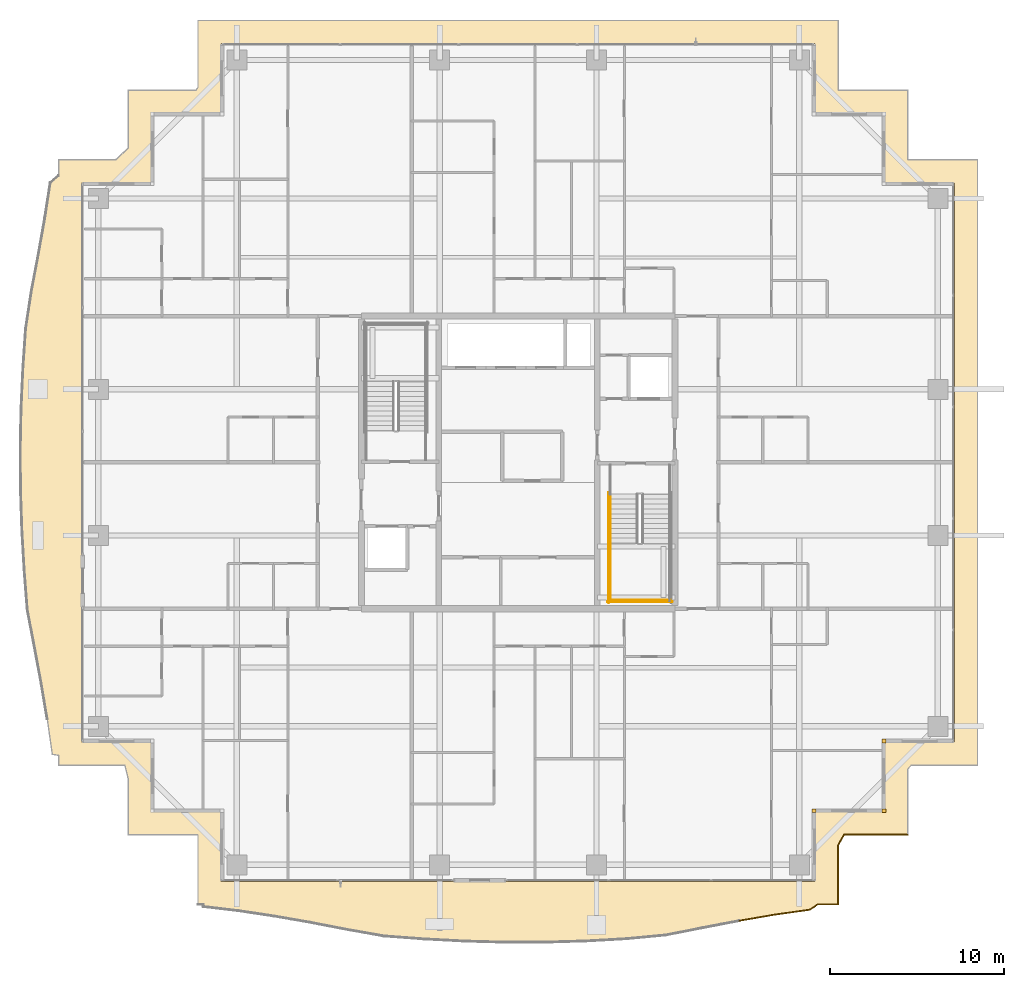
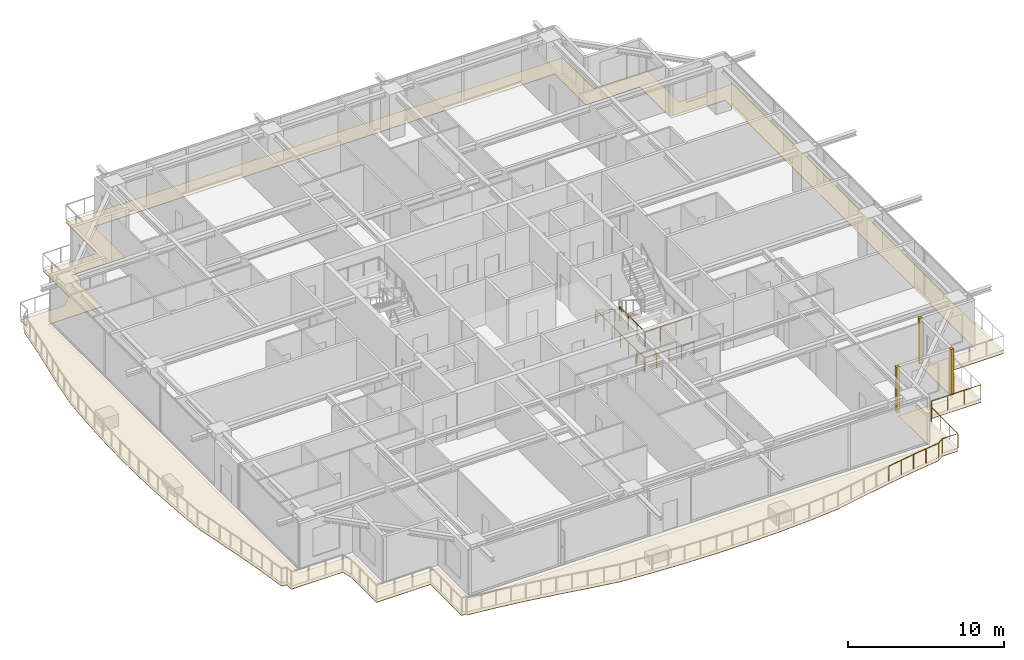
# One storey, part 35 of 38: 6 railings, 4 coverings.
"""IFC4 building model written with IfcOpenShell, lengths in metres."""

from ifc_helpers import new_model, si_unit, direction, frame, origin, origin_2d, place, context, subcontext, project, spatial, polyline, rectangle, circle, outline, extrude, source, transform, mapped, material, layer, layer_set, type_object, element, save


model = new_model("IFC4")

# Units and contexts
model_context = context("Model", 3, precision=1e-05, world=origin(), true_north=direction((0.0, 1.0)))
body_context = subcontext(model_context, "Body", "Model", "MODEL_VIEW")
ifc_project = project(units=[si_unit("LENGTHUNIT", "METRE"), si_unit("AREAUNIT", "SQUARE_METRE"), si_unit("VOLUMEUNIT", "CUBIC_METRE"), si_unit("PLANEANGLEUNIT", "RADIAN"), si_unit("MASSUNIT", "GRAM", prefix="KILO")], contexts=[model_context])

# Site, building, storey
site_placement = place(None, origin())
site = spatial("IfcSite", under=ifc_project, at=site_placement, CompositionType="ELEMENT")
building_placement = place(site_placement, origin())
building = spatial("IfcBuilding", under=site, at=building_placement, Name="Serunith Strait Residences", CompositionType="ELEMENT")
storey_placement = place(building_placement, frame((0.0, 0.0, 241.25)))
storey = spatial("IfcBuildingStorey", under=building, at=storey_placement, Name="L60", CompositionType="ELEMENT", Elevation=241.25)

# Covering
ifc_material_1 = material(Name="Golden Teak Exterior Timber Boarding", Category="wood")
ifc_layer_1 = layer(ifc_material_1, 0.034912109375, Name="Golden Teak Exterior Timber Boarding")
ifc_layer_set_1 = layer_set([ifc_layer_1], Name="Golden Teak Exterior Timber Boarding")
covering_type_1 = type_object("IfcCoveringType", Name="COV-TEAK-SOFFIT", PredefinedType="CEILING", material=ifc_layer_set_1)
covering_placement = place(storey_placement, frame((0.0, 0.0, -0.324951171875)))
element("IfcCovering", 1, at=covering_placement, inside=storey, type_object=covering_type_1, Name="L60 Golden-Teak Balcony Soffit Lining", PredefinedType="CEILING", context=body_context, shape_type="SweptSolid", body=[
    extrude(outline(polyline([(14.02001953125, -0.179931640625), (14.02001953125, 3.820068359375), (10.02001953125, 3.820068359375), (10.02001953125, 7.029052734375), (9.826904296875, 7.820068359375), (6.02001953125, 7.820068359375), (6.02001953125, 8.381591796875), (5.658935546875, 8.4423828125), (5.37109375, 10.46923828125), (5.02783203125, 12.517578125), (4.639404296875, 14.604736328125), (4.230712890625, 16.749267578125), (4.0537109375, 19.010986328125), (3.922607421875, 21.30810546875), (3.8447265625, 23.62939453125), (3.828125, 25.9619140625), (3.87451171875, 28.290283203125), (3.979736328125, 30.599853515625), (4.133544921875, 32.879150390625), (4.468017578125, 35.0693359375), (4.869384765625, 37.17578125), (5.23388671875, 39.23583984375), (5.54541015625, 41.26806640625), (6.02001953125, 41.6669921875), (6.02001953125, 42.580078125), (9.2998046875, 42.580078125), (10.02001953125, 43.24951171875), (10.02001953125, 46.580078125), (13.9189453125, 46.580078125), (14.02001953125, 46.734619140625), (14.02001953125, 50.580078125), (50.780029296875, 50.580078125), (50.780029296875, 46.580078125), (54.780029296875, 46.580078125), (54.780029296875, 42.580078125), (58.780029296875, 42.580078125), (58.780029296875, 7.820068359375), (54.97509765625, 7.820068359375), (54.780029296875, 7.597900390625), (54.780029296875, 3.820068359375), (51.11279296875, 3.820068359375), (50.780029296875, 3.215087890625), (50.780029296875, -0.179931640625), (49.601318359375, -0.179931640625), (49.16650390625, -0.484619140625), (47.144287109375, -0.771484375), (45.102294921875, -1.11865234375), (43.021728515625, -1.5166015625), (40.881103515625, -1.939208984375), (38.620849609375, -2.15283203125), (36.312255859375, -2.28125), (33.978515625, -2.35009765625), (31.634765625, -2.352294921875), (29.298095703125, -2.2880859375), (26.984130859375, -2.164794921875), (24.704345703125, -1.99462890625), (22.53125, -1.61328125), (20.43408203125, -1.20751953125), (18.38134765625, -0.847412109375), (16.35302734375, -0.54638671875), (14.333984375, -0.304931640625), (14.3349609375, -0.179931640625), (14.02001953125, -0.179931640625)]), holes=[polyline([(49.455078125, 1.14501953125), (49.455078125, 5.14501953125), (53.455078125, 5.14501953125), (53.455078125, 9.14501953125), (57.455078125, 9.14501953125), (57.455078125, 41.2548828125), (53.455078125, 41.2548828125), (53.455078125, 45.2548828125), (49.455078125, 45.2548828125), (49.455078125, 49.2548828125), (15.344970703125, 49.2548828125), (15.344970703125, 45.2548828125), (11.344970703125, 45.2548828125), (11.344970703125, 41.2548828125), (7.344970703125, 41.2548828125), (7.344970703125, 9.14501953125), (11.344970703125, 9.14501953125), (11.344970703125, 5.14501953125), (15.344970703125, 5.14501953125), (15.344970703125, 1.14501953125), (49.455078125, 1.14501953125)])]), origin(), (0.0, 0.0, 1.0), 0.034912109375),
])

# Railings
ifc_material_2 = material(Name="Stainless Steel & Laminated Glass Balustrade", Category="steel")
railing_type_1 = type_object("IfcRailingType", Name="RLG-BALC-1150", PredefinedType="BALUSTRADE", material=ifc_material_2)
railing_1_placement = place(storey_placement, frame((54.780029296875, 3.820068359375, -0.050048828125)))
element("IfcRailing", 2, at=railing_1_placement, inside=storey, type_object=railing_type_1, Name="L60 Swirling Balcony Perimeter Balustrade 6", PredefinedType="BALUSTRADE", context=body_context, shape_type="SweptSolid", body=[
    extrude(circle(Radius=0.02392578125, at=origin_2d()), frame((-0.001953125, 0.0, 1.1259765625), z_axis=(-1.0, 0.0, 0.0), x_axis=(0.0, -1.0, 0.0)), (0.0, 0.0, 1.0), 3.663330078125),
    extrude(circle(Radius=0.02392578125, at=origin_2d()), frame((-3.668212890625, -0.001708984375, 1.1259765625), z_axis=(-0.481945896719, -0.876200977308, 0.0), x_axis=(0.876200977308, -0.481945896719, 0.0)), (0.0, 0.0, 1.0), 0.6865234375),
    extrude(circle(Radius=0.02392578125, at=origin_2d()), frame((-4.0, -0.60693359375, 1.1259765625), z_axis=(0.0, -1.0, 0.0), x_axis=(1.0, 0.0, 0.0)), (0.0, 0.0, 1.0), 3.39111328125),
    extrude(circle(Radius=0.02392578125, at=origin_2d()), frame((-4.001953125, -4.0, 1.1259765625), z_axis=(-1.0, 0.0, 0.0), x_axis=(0.0, -1.0, 0.0)), (0.0, 0.0, 1.0), 1.1748046875),
    extrude(circle(Radius=0.02392578125, at=origin_2d()), frame((-5.180419921875, -4.001220703125, 1.1259765625), z_axis=(-0.818950988653, -0.573863466501, 0.0), x_axis=(0.573863466501, -0.818950988653, 0.0)), (0.0, 0.0, 1.0), 0.52685546875),
    extrude(circle(Radius=0.02392578125, at=origin_2d()), frame((-5.615478515625, -4.304931640625, 1.1259765625), z_axis=(-0.99008767554, -0.140450684385, 0.0), x_axis=(0.140450684385, -0.99008767554, 0.0)), (0.0, 0.0, 1.0), 2.03857421875),
    extrude(circle(Radius=0.02392578125, at=origin_2d()), frame((-7.6376953125, -4.591796875, 1.1259765625), z_axis=(-0.985853509592, -0.16760924087, 0.0), x_axis=(0.16760924087, -0.985853509592, 0.0)), (0.0, 0.0, 1.0), 2.0673828125),
    extrude(circle(Radius=0.02099609375, at=origin_2d()), origin(), (0.0, 0.0, 1.0), 1.099853515625),
    extrude(circle(Radius=0.02099609375, at=origin_2d()), frame((-1.222412109375, 0.0, 0.0)), (0.0, 0.0, 1.0), 1.099853515625),
    extrude(circle(Radius=0.02099609375, at=origin_2d()), frame((-2.44482421875, 0.0, 0.0)), (0.0, 0.0, 1.0), 1.099853515625),
    extrude(circle(Radius=0.02099609375, at=origin_2d()), frame((-3.667236328125, 0.0, 0.0)), (0.0, 0.0, 1.0), 1.099853515625),
    extrude(circle(Radius=0.02099609375, at=origin_2d()), frame((-4.0, -0.60498046875, 0.0)), (0.0, 0.0, 1.0), 1.099853515625),
    extrude(circle(Radius=0.02099609375, at=origin_2d()), frame((-4.0, -1.736572265625, 0.0)), (0.0, 0.0, 1.0), 1.099853515625),
    extrude(circle(Radius=0.02099609375, at=origin_2d()), frame((-4.0, -2.868408203125, 0.0)), (0.0, 0.0, 1.0), 1.099853515625),
    extrude(circle(Radius=0.02099609375, at=origin_2d()), frame((-4.0, -4.0, 0.0)), (0.0, 0.0, 1.0), 1.099853515625),
    extrude(circle(Radius=0.02099609375, at=origin_2d()), frame((-5.1787109375, -4.0, 0.0)), (0.0, 0.0, 1.0), 1.099853515625),
    extrude(circle(Radius=0.02099609375, at=origin_2d()), frame((-5.613525390625, -4.3046875, 0.0)), (0.0, 0.0, 1.0), 1.099853515625),
    extrude(circle(Radius=0.02099609375, at=origin_2d()), frame((-6.62451171875, -4.4482421875, 0.0)), (0.0, 0.0, 1.0), 1.099853515625),
    extrude(circle(Radius=0.02099609375, at=origin_2d()), frame((-7.6357421875, -4.591552734375, 0.0)), (0.0, 0.0, 1.0), 1.099853515625),
    extrude(circle(Radius=0.02099609375, at=origin_2d()), frame((-8.65673828125, -4.76513671875, 0.0)), (0.0, 0.0, 1.0), 1.099853515625),
    extrude(circle(Radius=0.02099609375, at=origin_2d()), frame((-9.677734375, -4.938720703125, 0.0)), (0.0, 0.0, 1.0), 1.099853515625),
])
ifc_material_3 = material(Name="Brushed stainless steel 316L", Category="steel")
railing_type_2 = type_object("IfcRailingType", Name="RLG-STAIR-GUARD", PredefinedType="BALUSTRADE", material=ifc_material_3)
railing_2_placement = place(storey_placement, frame((37.699951171875, 20.570068359375, 1.925048828125)))
element("IfcRailing", 3, at=railing_2_placement, inside=storey, type_object=railing_type_2, Name="L60 ST-2 stair guard 3", PredefinedType="BALUSTRADE", context=body_context, shape_type="SweptSolid", body=[
    extrude(circle(Radius=0.02392578125, at=origin_2d()), frame((0.0, -0.001953125, 1.076171875), z_axis=(0.0, -1.0, 0.0), x_axis=(1.0, 0.0, 0.0)), (0.0, 0.0, 1.0), 3.316162109375),
    extrude(circle(Radius=0.02099609375, at=origin_2d()), origin(), (0.0, 0.0, 1.0), 1.050048828125),
    extrude(circle(Radius=0.02099609375, at=origin_2d()), frame((0.0, -1.106689453125, 0.0)), (0.0, 0.0, 1.0), 1.050048828125),
    extrude(circle(Radius=0.02099609375, at=origin_2d()), frame((0.0, -2.21337890625, 0.0)), (0.0, 0.0, 1.0), 1.050048828125),
    extrude(circle(Radius=0.02099609375, at=origin_2d()), frame((0.0, -3.320068359375, 0.0)), (0.0, 0.0, 1.0), 1.050048828125),
])
railing_3_placement = place(storey_placement, frame((37.64990234375, 17.300048828125, 1.925048828125)))
element("IfcRailing", 4, at=railing_3_placement, inside=storey, type_object=railing_type_2, Name="L60 ST-2 stair guard 5", PredefinedType="BALUSTRADE", context=body_context, shape_type="SweptSolid", body=[
    extrude(circle(Radius=0.02392578125, at=origin_2d()), frame((0.001953125, 0.0, 1.076171875), z_axis=(1.0, 0.0, 0.0), x_axis=(0.0, 1.0, 0.0)), (0.0, 0.0, 1.0), 3.49609375),
    extrude(circle(Radius=0.02099609375, at=origin_2d()), origin(), (0.0, 0.0, 1.0), 1.050048828125),
    extrude(circle(Radius=0.02099609375, at=origin_2d()), frame((1.166748046875, 0.0, 0.0)), (0.0, 0.0, 1.0), 1.050048828125),
    extrude(circle(Radius=0.02099609375, at=origin_2d()), frame((2.333251953125, 0.0, 0.0)), (0.0, 0.0, 1.0), 1.050048828125),
    extrude(circle(Radius=0.02099609375, at=origin_2d()), frame((3.5, 0.0, 0.0)), (0.0, 0.0, 1.0), 1.050048828125),
])
railing_4_placement = place(storey_placement, frame((37.60009765625, 23.469970703125, 0.0)))
element("IfcRailing", 5, at=railing_4_placement, inside=storey, type_object=railing_type_2, Name="L60 ST-2 stair guard 10", PredefinedType="BALUSTRADE", context=body_context, shape_type="SweptSolid", body=[
    extrude(circle(Radius=0.02392578125, at=origin_2d()), frame((0.0, -0.001953125, 1.076171875), z_axis=(0.0, -1.0, 0.0), x_axis=(1.0, 0.0, 0.0)), (0.0, 0.0, 1.0), 6.316162109375),
    extrude(circle(Radius=0.02099609375, at=origin_2d()), origin(), (0.0, 0.0, 1.0), 1.050048828125),
    extrude(circle(Radius=0.02099609375, at=origin_2d()), frame((0.0, -1.05322265625, 0.0)), (0.0, 0.0, 1.0), 1.050048828125),
    extrude(circle(Radius=0.02099609375, at=origin_2d()), frame((0.0, -2.106689453125, 0.0)), (0.0, 0.0, 1.0), 1.050048828125),
    extrude(circle(Radius=0.02099609375, at=origin_2d()), frame((0.0, -3.16015625, 0.0)), (0.0, 0.0, 1.0), 1.050048828125),
    extrude(circle(Radius=0.02099609375, at=origin_2d()), frame((0.0, -4.21337890625, 0.0)), (0.0, 0.0, 1.0), 1.050048828125),
    extrude(circle(Radius=0.02099609375, at=origin_2d()), frame((0.0, -5.2666015625, 0.0)), (0.0, 0.0, 1.0), 1.050048828125),
    extrude(circle(Radius=0.02099609375, at=origin_2d()), frame((0.0, -6.320068359375, 0.0)), (0.0, 0.0, 1.0), 1.050048828125),
])
railing_5_placement = place(storey_placement, frame((37.550048828125, 17.199951171875, 0.0)))
element("IfcRailing", 6, at=railing_5_placement, inside=storey, type_object=railing_type_2, Name="L60 ST-2 stair guard 12", PredefinedType="BALUSTRADE", context=body_context, shape_type="SweptSolid", body=[
    extrude(circle(Radius=0.02392578125, at=origin_2d()), frame((0.001953125, 0.0, 1.076171875), z_axis=(1.0, 0.0, 0.0), x_axis=(0.0, 1.0, 0.0)), (0.0, 0.0, 1.0), 3.696044921875),
    extrude(circle(Radius=0.02099609375, at=origin_2d()), origin(), (0.0, 0.0, 1.0), 1.050048828125),
    extrude(circle(Radius=0.02099609375, at=origin_2d()), frame((0.925048828125, 0.0, 0.0)), (0.0, 0.0, 1.0), 1.050048828125),
    extrude(circle(Radius=0.02099609375, at=origin_2d()), frame((1.85009765625, 0.0, 0.0)), (0.0, 0.0, 1.0), 1.050048828125),
    extrude(circle(Radius=0.02099609375, at=origin_2d()), frame((2.77490234375, 0.0, 0.0)), (0.0, 0.0, 1.0), 1.050048828125),
    extrude(circle(Radius=0.02099609375, at=origin_2d()), frame((3.699951171875, 0.0, 0.0)), (0.0, 0.0, 1.0), 1.050048828125),
])
railing_type_3 = type_object("IfcRailingType", Name="RLG-STAIR-HR", PredefinedType="HANDRAIL", material=ifc_material_3)
railing_6_placement = place(storey_placement, frame((37.699951171875, 23.3701171875, 0.175048828125)))
element("IfcRailing", 7, at=railing_6_placement, inside=storey, type_object=railing_type_3, Name="L60 ST-2 stair handrail 1", PredefinedType="HANDRAIL", context=body_context, shape_type="SweptSolid", body=[
    extrude(circle(Radius=0.02392578125, at=origin_2d()), frame((0.0, -0.001708984375, 0.876953125), z_axis=(0.0, -0.847393994688, 0.530964610654), x_axis=(1.0, 0.0, 0.0)), (0.0, 0.0, 1.0), 3.630859375),
    extrude(circle(Radius=0.02099609375, at=origin_2d()), origin(), (0.0, 0.0, 1.0), 0.849853515625),
    extrude(circle(Radius=0.02099609375, at=origin_2d()), frame((0.0, -0.77001953125, 0.482421875)), (0.0, 0.0, 1.0), 0.849853515625),
    extrude(circle(Radius=0.02099609375, at=origin_2d()), frame((0.0, -1.5400390625, 0.96484375)), (0.0, 0.0, 1.0), 0.849853515625),
    extrude(circle(Radius=0.02099609375, at=origin_2d()), frame((0.0, -2.31005859375, 1.447509765625)), (0.0, 0.0, 1.0), 0.849853515625),
    extrude(circle(Radius=0.02099609375, at=origin_2d()), frame((0.0, -3.080078125, 1.929931640625)), (0.0, 0.0, 1.0), 0.849853515625),
])

# Coverings
ifc_material_4 = material(Name="Pale-Champagne Anodised Aluminium", Category="aluminium")
ifc_layer_2 = layer(ifc_material_4, 0.219970703125, Name="Pale-Champagne Anodised Aluminium")
ifc_layer_set_2 = layer_set([ifc_layer_2], Name="Pale-Champagne Anodised Aluminium")
covering_type_2 = type_object("IfcCoveringType", Name="COV-CORN-TRIM", PredefinedType="CLADDING", material=ifc_layer_set_2)
shared_shape = source(origin(), body_context, "Body", "SweptSolid", [
    extrude(rectangle(XDim=0.221923828125, YDim=0.221923828125, at=origin_2d()), origin(), (0.0, 0.0, 1.0), 3.574951171875),
])
for number, where, z_axis, x_axis, name in (
    (8, (49.39990234375, 5.199951171875, 0.0), (0.0, 0.0, 1.0), (1.0, 0.0, 0.0), "L60 Girih Serrated Corner Trim Post 02"),
    (9, (53.39990234375, 5.199951171875, 0.0), (0.0, 0.0, 1.0), (1.0, 0.0, 0.0), "L60 Girih Serrated Corner Trim Post 03"),
    (10, (53.39990234375, 9.199951171875, 0.0), (0.0, 0.0, 1.0), (1.0, 0.0, 0.0), "L60 Girih Serrated Corner Trim Post 04"),
):
    element("IfcCovering", number, at=place(storey_placement, frame(where, z_axis=z_axis, x_axis=x_axis)), inside=storey, type_object=covering_type_2, Name=name, PredefinedType="CLADDING", context=body_context, shape_type="MappedRepresentation", body=[
        mapped(shared_shape, transform((0.0, 0.0, 0.0), scale=1.0)),
    ])

save(model, "model.ifc")
